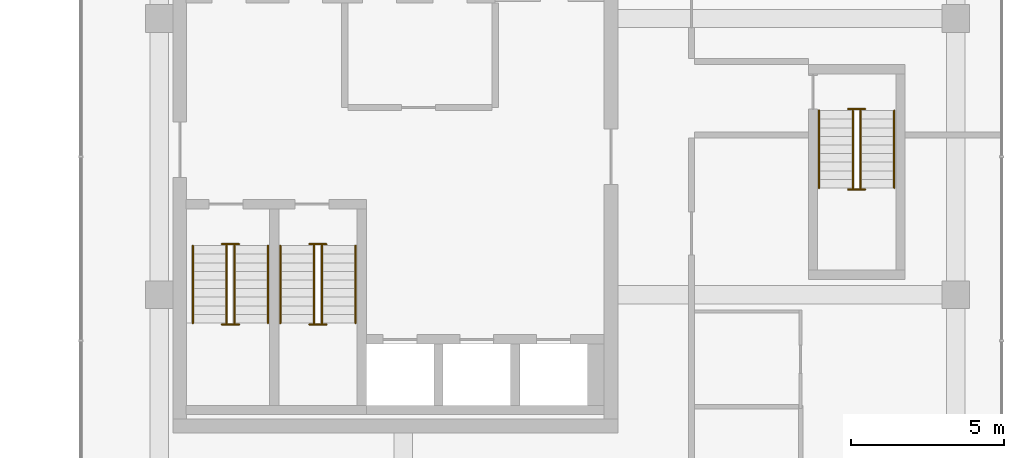
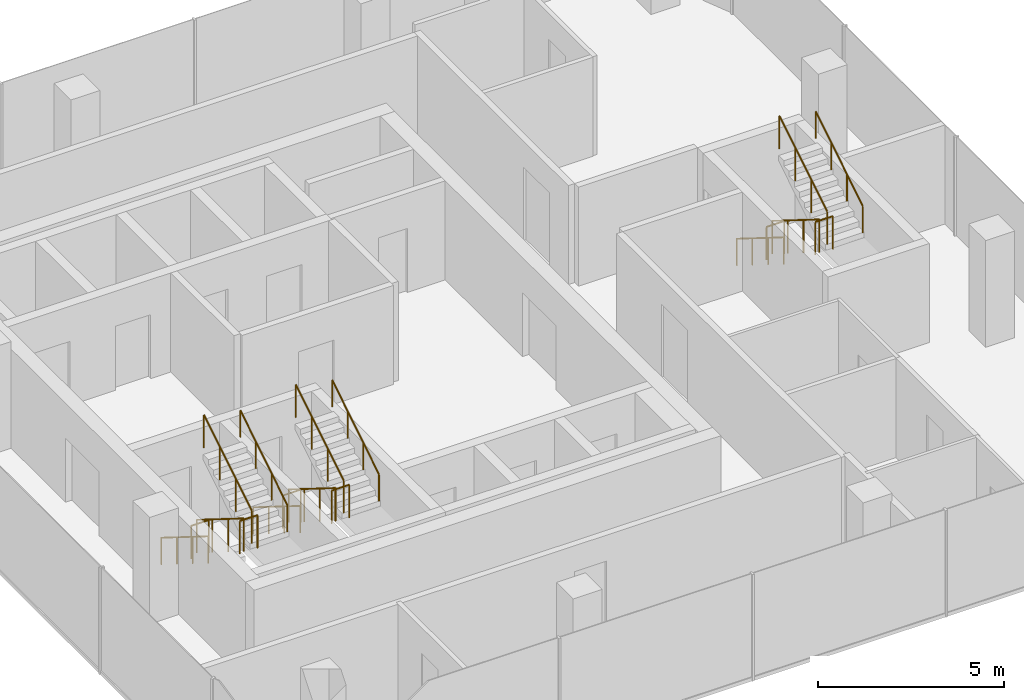
# One storey, part 23 of 23: 18 railings.
"""IFC4 building model written with IfcOpenShell, lengths in metres."""

from ifc_helpers import new_model, si_unit, direction, frame, origin, origin_2d, place, context, subcontext, project, spatial, circle, extrude, material, type_object, element, save


model = new_model("IFC4")

# Units and contexts
model_context = context("Model", 3, precision=1e-05, world=origin(), true_north=direction((0.0, 1.0)))
body_context = subcontext(model_context, "Body", "Model", "MODEL_VIEW")
ifc_project = project(units=[si_unit("LENGTHUNIT", "METRE"), si_unit("AREAUNIT", "SQUARE_METRE"), si_unit("VOLUMEUNIT", "CUBIC_METRE"), si_unit("PLANEANGLEUNIT", "RADIAN"), si_unit("MASSUNIT", "GRAM", prefix="KILO")], contexts=[model_context])

# Site, building, storey
site_placement = place(None, origin())
site = spatial("IfcSite", under=ifc_project, at=site_placement, CompositionType="ELEMENT")
building_placement = place(site_placement, origin())
building = spatial("IfcBuilding", under=site, at=building_placement, Name="Plateau Cross Towers", CompositionType="ELEMENT")
storey_placement = place(building_placement, frame((0.0, 0.0, 85.300048828125)))
storey = spatial("IfcBuildingStorey", under=building, at=storey_placement, Name="L21", CompositionType="ELEMENT", Elevation=85.300048828125)

# Railings
ifc_material_1 = material(Name="Stainless steel and toughened glass", Category="steel")
railing_type_1 = type_object("IfcRailingType", Name="RL-GUARD-1100", PredefinedType="GUARDRAIL", material=ifc_material_1)
railing_1_placement = place(storey_placement, frame((76.75, 6.10009765625, 0.175048828125)))
element("IfcRailing", 1, at=railing_1_placement, inside=storey, type_object=railing_type_1, Name="L21 SB-1 stair guard 1", PredefinedType="GUARDRAIL", context=body_context, shape_type="SweptSolid", body=[
    extrude(circle(Radius=0.02392578125, at=origin_2d()), frame((0.0, 0.0, 1.076171875), z_axis=(0.0, -0.848007534815, 0.529984170421), x_axis=(1.0, 0.0, 0.0)), (0.0, 0.0, 1.0), 2.9716796875),
    extrude(circle(Radius=0.02099609375, at=origin_2d()), origin(), (0.0, 0.0, 1.0), 1.052001953125),
    extrude(circle(Radius=0.02099609375, at=origin_2d()), frame((0.0, -0.840087890625, 0.52490234375)), (0.0, 0.0, 1.0), 1.052001953125),
    extrude(circle(Radius=0.02099609375, at=origin_2d()), frame((0.0, -1.679931640625, 1.050048828125)), (0.0, 0.0, 1.0), 1.052001953125),
    extrude(circle(Radius=0.02099609375, at=origin_2d()), frame((0.0, -2.52001953125, 1.574951171875)), (0.0, 0.0, 1.0), 1.052001953125),
])
railing_2_placement = place(storey_placement, frame((76.60009765625, 3.530029296875, 1.75)))
element("IfcRailing", 2, at=railing_2_placement, inside=storey, type_object=railing_type_1, Name="L21 SB-1 stair guard 2", PredefinedType="GUARDRAIL", context=body_context, shape_type="SweptSolid", body=[
    extrude(circle(Radius=0.02392578125, at=origin_2d()), frame((0.0, 0.0, 1.076171875), z_axis=(1.0, 0.0, 0.0), x_axis=(0.0, 1.0, 0.0)), (0.0, 0.0, 1.0), 0.5498046875),
    extrude(circle(Radius=0.02099609375, at=origin_2d()), origin(), (0.0, 0.0, 1.0), 1.052001953125),
    extrude(circle(Radius=0.02099609375, at=origin_2d()), frame((0.5498046875, 0.0, 0.0)), (0.0, 0.0, 1.0), 1.052001953125),
])
railing_3_placement = place(storey_placement, frame((77.0, 3.580078125, 1.925048828125)))
element("IfcRailing", 3, at=railing_3_placement, inside=storey, type_object=railing_type_1, Name="L21 SB-1 stair guard 3", PredefinedType="GUARDRAIL", context=body_context, shape_type="SweptSolid", body=[
    extrude(circle(Radius=0.02392578125, at=origin_2d()), frame((0.0, 0.0, 1.076171875), z_axis=(0.0, 0.852616386126, 0.522537365276), x_axis=(-1.0, 0.0, 0.0)), (0.0, 0.0, 1.0), 3.01416015625),
    extrude(circle(Radius=0.02099609375, at=origin_2d()), origin(), (0.0, 0.0, 1.0), 1.052001953125),
    extrude(circle(Radius=0.02099609375, at=origin_2d()), frame((0.0, 0.856689453125, 0.52490234375)), (0.0, 0.0, 1.0), 1.052001953125),
    extrude(circle(Radius=0.02099609375, at=origin_2d()), frame((0.0, 1.713134765625, 1.050048828125)), (0.0, 0.0, 1.0), 1.052001953125),
    extrude(circle(Radius=0.02099609375, at=origin_2d()), frame((0.0, 2.56982421875, 1.574951171875)), (0.0, 0.0, 1.0), 1.052001953125),
])
railing_4_placement = place(storey_placement, frame((76.60009765625, 6.14990234375, 0.0)))
element("IfcRailing", 4, at=railing_4_placement, inside=storey, type_object=railing_type_1, Name="L21 SB-1 stair guard 4", PredefinedType="GUARDRAIL", context=body_context, shape_type="SweptSolid", body=[
    extrude(circle(Radius=0.02392578125, at=origin_2d()), frame((0.0, 0.0, 1.076171875), z_axis=(1.0, 0.0, 0.0), x_axis=(0.0, 1.0, 0.0)), (0.0, 0.0, 1.0), 0.5498046875),
    extrude(circle(Radius=0.02099609375, at=origin_2d()), origin(), (0.0, 0.0, 1.0), 1.052001953125),
    extrude(circle(Radius=0.02099609375, at=origin_2d()), frame((0.5498046875, 0.0, 0.0)), (0.0, 0.0, 1.0), 1.052001953125),
])
railing_5_placement = place(storey_placement, frame((79.60009765625, 6.10009765625, 0.175048828125)))
element("IfcRailing", 5, at=railing_5_placement, inside=storey, type_object=railing_type_1, Name="L21 SB-2 stair guard 1", PredefinedType="GUARDRAIL", context=body_context, shape_type="SweptSolid", body=[
    extrude(circle(Radius=0.02392578125, at=origin_2d()), frame((0.0, 0.0, 1.076171875), z_axis=(0.0, -0.848007534815, 0.529984170421), x_axis=(1.0, 0.0, 0.0)), (0.0, 0.0, 1.0), 2.9716796875),
    extrude(circle(Radius=0.02099609375, at=origin_2d()), origin(), (0.0, 0.0, 1.0), 1.052001953125),
    extrude(circle(Radius=0.02099609375, at=origin_2d()), frame((0.0, -0.840087890625, 0.52490234375)), (0.0, 0.0, 1.0), 1.052001953125),
    extrude(circle(Radius=0.02099609375, at=origin_2d()), frame((0.0, -1.679931640625, 1.050048828125)), (0.0, 0.0, 1.0), 1.052001953125),
    extrude(circle(Radius=0.02099609375, at=origin_2d()), frame((0.0, -2.52001953125, 1.574951171875)), (0.0, 0.0, 1.0), 1.052001953125),
])
railing_6_placement = place(storey_placement, frame((79.449951171875, 3.530029296875, 1.75)))
element("IfcRailing", 6, at=railing_6_placement, inside=storey, type_object=railing_type_1, Name="L21 SB-2 stair guard 2", PredefinedType="GUARDRAIL", context=body_context, shape_type="SweptSolid", body=[
    extrude(circle(Radius=0.02392578125, at=origin_2d()), frame((0.0, 0.0, 1.076171875), z_axis=(1.0, 0.0, 0.0), x_axis=(0.0, 1.0, 0.0)), (0.0, 0.0, 1.0), 0.550048828125),
    extrude(circle(Radius=0.02099609375, at=origin_2d()), origin(), (0.0, 0.0, 1.0), 1.052001953125),
    extrude(circle(Radius=0.02099609375, at=origin_2d()), frame((0.550048828125, 0.0, 0.0)), (0.0, 0.0, 1.0), 1.052001953125),
])
railing_7_placement = place(storey_placement, frame((79.85009765625, 3.580078125, 1.925048828125)))
element("IfcRailing", 7, at=railing_7_placement, inside=storey, type_object=railing_type_1, Name="L21 SB-2 stair guard 3", PredefinedType="GUARDRAIL", context=body_context, shape_type="SweptSolid", body=[
    extrude(circle(Radius=0.02392578125, at=origin_2d()), frame((0.0, 0.0, 1.076171875), z_axis=(0.0, 0.852616386126, 0.522537365276), x_axis=(-1.0, 0.0, 0.0)), (0.0, 0.0, 1.0), 3.01416015625),
    extrude(circle(Radius=0.02099609375, at=origin_2d()), origin(), (0.0, 0.0, 1.0), 1.052001953125),
    extrude(circle(Radius=0.02099609375, at=origin_2d()), frame((0.0, 0.856689453125, 0.52490234375)), (0.0, 0.0, 1.0), 1.052001953125),
    extrude(circle(Radius=0.02099609375, at=origin_2d()), frame((0.0, 1.713134765625, 1.050048828125)), (0.0, 0.0, 1.0), 1.052001953125),
    extrude(circle(Radius=0.02099609375, at=origin_2d()), frame((0.0, 2.56982421875, 1.574951171875)), (0.0, 0.0, 1.0), 1.052001953125),
])
railing_8_placement = place(storey_placement, frame((79.449951171875, 6.14990234375, 0.0)))
element("IfcRailing", 8, at=railing_8_placement, inside=storey, type_object=railing_type_1, Name="L21 SB-2 stair guard 4", PredefinedType="GUARDRAIL", context=body_context, shape_type="SweptSolid", body=[
    extrude(circle(Radius=0.02392578125, at=origin_2d()), frame((0.0, 0.0, 1.076171875), z_axis=(1.0, 0.0, 0.0), x_axis=(0.0, 1.0, 0.0)), (0.0, 0.0, 1.0), 0.550048828125),
    extrude(circle(Radius=0.02099609375, at=origin_2d()), origin(), (0.0, 0.0, 1.0), 1.052001953125),
    extrude(circle(Radius=0.02099609375, at=origin_2d()), frame((0.550048828125, 0.0, 0.0)), (0.0, 0.0, 1.0), 1.052001953125),
])
railing_9_placement = place(storey_placement, frame((97.14990234375, 10.5, 0.175048828125)))
element("IfcRailing", 9, at=railing_9_placement, inside=storey, type_object=railing_type_1, Name="L21 SB-3 stair guard 1", PredefinedType="GUARDRAIL", context=body_context, shape_type="SweptSolid", body=[
    extrude(circle(Radius=0.02392578125, at=origin_2d()), frame((0.0, 0.0, 1.076171875), z_axis=(0.0, -0.848007534815, 0.529984170421), x_axis=(1.0, 0.0, 0.0)), (0.0, 0.0, 1.0), 2.9716796875),
    extrude(circle(Radius=0.02099609375, at=origin_2d()), origin(), (0.0, 0.0, 1.0), 1.052001953125),
    extrude(circle(Radius=0.02099609375, at=origin_2d()), frame((0.0, -0.840087890625, 0.52490234375)), (0.0, 0.0, 1.0), 1.052001953125),
    extrude(circle(Radius=0.02099609375, at=origin_2d()), frame((0.0, -1.679931640625, 1.050048828125)), (0.0, 0.0, 1.0), 1.052001953125),
    extrude(circle(Radius=0.02099609375, at=origin_2d()), frame((0.0, -2.52001953125, 1.574951171875)), (0.0, 0.0, 1.0), 1.052001953125),
])
railing_10_placement = place(storey_placement, frame((97.0, 7.929931640625, 1.75)))
element("IfcRailing", 10, at=railing_10_placement, inside=storey, type_object=railing_type_1, Name="L21 SB-3 stair guard 2", PredefinedType="GUARDRAIL", context=body_context, shape_type="SweptSolid", body=[
    extrude(circle(Radius=0.02392578125, at=origin_2d()), frame((0.0, 0.0, 1.076171875), z_axis=(1.0, 0.0, 0.0), x_axis=(0.0, 1.0, 0.0)), (0.0, 0.0, 1.0), 0.550048828125),
    extrude(circle(Radius=0.02099609375, at=origin_2d()), origin(), (0.0, 0.0, 1.0), 1.052001953125),
    extrude(circle(Radius=0.02099609375, at=origin_2d()), frame((0.550048828125, 0.0, 0.0)), (0.0, 0.0, 1.0), 1.052001953125),
])
railing_11_placement = place(storey_placement, frame((97.39990234375, 7.97998046875, 1.925048828125)))
element("IfcRailing", 11, at=railing_11_placement, inside=storey, type_object=railing_type_1, Name="L21 SB-3 stair guard 3", PredefinedType="GUARDRAIL", context=body_context, shape_type="SweptSolid", body=[
    extrude(circle(Radius=0.02392578125, at=origin_2d()), frame((0.0, 0.0, 1.076171875), z_axis=(0.0, 0.852638500773, 0.522501279423), x_axis=(-1.0, 0.0, 0.0)), (0.0, 0.0, 1.0), 3.01416015625),
    extrude(circle(Radius=0.02099609375, at=origin_2d()), origin(), (0.0, 0.0, 1.0), 1.052001953125),
    extrude(circle(Radius=0.02099609375, at=origin_2d()), frame((0.0, 0.856689453125, 0.52490234375)), (0.0, 0.0, 1.0), 1.052001953125),
    extrude(circle(Radius=0.02099609375, at=origin_2d()), frame((0.0, 1.71337890625, 1.050048828125)), (0.0, 0.0, 1.0), 1.052001953125),
    extrude(circle(Radius=0.02099609375, at=origin_2d()), frame((0.0, 2.570068359375, 1.574951171875)), (0.0, 0.0, 1.0), 1.052001953125),
])
railing_12_placement = place(storey_placement, frame((97.0, 10.550048828125, 0.0)))
element("IfcRailing", 12, at=railing_12_placement, inside=storey, type_object=railing_type_1, Name="L21 SB-3 stair guard 4", PredefinedType="GUARDRAIL", context=body_context, shape_type="SweptSolid", body=[
    extrude(circle(Radius=0.02392578125, at=origin_2d()), frame((0.0, 0.0, 1.076171875), z_axis=(1.0, 0.0, 0.0), x_axis=(0.0, 1.0, 0.0)), (0.0, 0.0, 1.0), 0.550048828125),
    extrude(circle(Radius=0.02099609375, at=origin_2d()), origin(), (0.0, 0.0, 1.0), 1.052001953125),
    extrude(circle(Radius=0.02099609375, at=origin_2d()), frame((0.550048828125, 0.0, 0.0)), (0.0, 0.0, 1.0), 1.052001953125),
])
ifc_material_2 = material(Name="Black anodised aluminium", Category="aluminium")
railing_type_2 = type_object("IfcRailingType", Name="RL-HANDRAIL-900", PredefinedType="HANDRAIL", material=ifc_material_2)
railing_13_placement = place(storey_placement, frame((75.64990234375, 6.10009765625, 0.175048828125)))
element("IfcRailing", 13, at=railing_13_placement, inside=storey, type_object=railing_type_2, Name="L21 SB-1 stair handrail 1", PredefinedType="HANDRAIL", context=body_context, shape_type="SweptSolid", body=[
    extrude(circle(Radius=0.02392578125, at=origin_2d()), frame((0.0, 0.0, 0.8759765625), z_axis=(0.0, -0.848007534815, 0.529984170421), x_axis=(1.0, 0.0, 0.0)), (0.0, 0.0, 1.0), 2.9716796875),
    extrude(circle(Radius=0.02099609375, at=origin_2d()), origin(), (0.0, 0.0, 1.0), 0.851806640625),
    extrude(circle(Radius=0.02099609375, at=origin_2d()), frame((0.0, -0.840087890625, 0.52490234375)), (0.0, 0.0, 1.0), 0.851806640625),
    extrude(circle(Radius=0.02099609375, at=origin_2d()), frame((0.0, -1.679931640625, 1.050048828125)), (0.0, 0.0, 1.0), 0.851806640625),
    extrude(circle(Radius=0.02099609375, at=origin_2d()), frame((0.0, -2.52001953125, 1.574951171875)), (0.0, 0.0, 1.0), 0.851806640625),
])
railing_14_placement = place(storey_placement, frame((78.10009765625, 3.580078125, 1.925048828125)))
element("IfcRailing", 14, at=railing_14_placement, inside=storey, type_object=railing_type_2, Name="L21 SB-1 stair handrail 2", PredefinedType="HANDRAIL", context=body_context, shape_type="SweptSolid", body=[
    extrude(circle(Radius=0.02392578125, at=origin_2d()), frame((0.0, 0.0, 0.8759765625), z_axis=(0.0, 0.848007534815, 0.529984170421), x_axis=(-1.0, 0.0, 0.0)), (0.0, 0.0, 1.0), 2.9716796875),
    extrude(circle(Radius=0.02099609375, at=origin_2d()), origin(), (0.0, 0.0, 1.0), 0.851806640625),
    extrude(circle(Radius=0.02099609375, at=origin_2d()), frame((0.0, 0.840087890625, 0.52490234375)), (0.0, 0.0, 1.0), 0.851806640625),
    extrude(circle(Radius=0.02099609375, at=origin_2d()), frame((0.0, 1.679931640625, 1.050048828125)), (0.0, 0.0, 1.0), 0.851806640625),
    extrude(circle(Radius=0.02099609375, at=origin_2d()), frame((0.0, 2.52001953125, 1.574951171875)), (0.0, 0.0, 1.0), 0.851806640625),
])
railing_15_placement = place(storey_placement, frame((78.5, 6.10009765625, 0.175048828125)))
element("IfcRailing", 15, at=railing_15_placement, inside=storey, type_object=railing_type_2, Name="L21 SB-2 stair handrail 1", PredefinedType="HANDRAIL", context=body_context, shape_type="SweptSolid", body=[
    extrude(circle(Radius=0.02392578125, at=origin_2d()), frame((0.0, 0.0, 0.8759765625), z_axis=(0.0, -0.848007534815, 0.529984170421), x_axis=(1.0, 0.0, 0.0)), (0.0, 0.0, 1.0), 2.9716796875),
    extrude(circle(Radius=0.02099609375, at=origin_2d()), origin(), (0.0, 0.0, 1.0), 0.851806640625),
    extrude(circle(Radius=0.02099609375, at=origin_2d()), frame((0.0, -0.840087890625, 0.52490234375)), (0.0, 0.0, 1.0), 0.851806640625),
    extrude(circle(Radius=0.02099609375, at=origin_2d()), frame((0.0, -1.679931640625, 1.050048828125)), (0.0, 0.0, 1.0), 0.851806640625),
    extrude(circle(Radius=0.02099609375, at=origin_2d()), frame((0.0, -2.52001953125, 1.574951171875)), (0.0, 0.0, 1.0), 0.851806640625),
])
railing_16_placement = place(storey_placement, frame((80.949951171875, 3.580078125, 1.925048828125)))
element("IfcRailing", 16, at=railing_16_placement, inside=storey, type_object=railing_type_2, Name="L21 SB-2 stair handrail 2", PredefinedType="HANDRAIL", context=body_context, shape_type="SweptSolid", body=[
    extrude(circle(Radius=0.02392578125, at=origin_2d()), frame((0.0, 0.0, 0.8759765625), z_axis=(0.0, 0.848007534815, 0.529984170421), x_axis=(-1.0, 0.0, 0.0)), (0.0, 0.0, 1.0), 2.9716796875),
    extrude(circle(Radius=0.02099609375, at=origin_2d()), origin(), (0.0, 0.0, 1.0), 0.851806640625),
    extrude(circle(Radius=0.02099609375, at=origin_2d()), frame((0.0, 0.840087890625, 0.52490234375)), (0.0, 0.0, 1.0), 0.851806640625),
    extrude(circle(Radius=0.02099609375, at=origin_2d()), frame((0.0, 1.679931640625, 1.050048828125)), (0.0, 0.0, 1.0), 0.851806640625),
    extrude(circle(Radius=0.02099609375, at=origin_2d()), frame((0.0, 2.52001953125, 1.574951171875)), (0.0, 0.0, 1.0), 0.851806640625),
])
railing_17_placement = place(storey_placement, frame((96.050048828125, 10.5, 0.175048828125)))
element("IfcRailing", 17, at=railing_17_placement, inside=storey, type_object=railing_type_2, Name="L21 SB-3 stair handrail 1", PredefinedType="HANDRAIL", context=body_context, shape_type="SweptSolid", body=[
    extrude(circle(Radius=0.02392578125, at=origin_2d()), frame((0.0, 0.0, 0.8759765625), z_axis=(0.0, -0.848007534815, 0.529984170421), x_axis=(1.0, 0.0, 0.0)), (0.0, 0.0, 1.0), 2.9716796875),
    extrude(circle(Radius=0.02099609375, at=origin_2d()), origin(), (0.0, 0.0, 1.0), 0.851806640625),
    extrude(circle(Radius=0.02099609375, at=origin_2d()), frame((0.0, -0.840087890625, 0.52490234375)), (0.0, 0.0, 1.0), 0.851806640625),
    extrude(circle(Radius=0.02099609375, at=origin_2d()), frame((0.0, -1.679931640625, 1.050048828125)), (0.0, 0.0, 1.0), 0.851806640625),
    extrude(circle(Radius=0.02099609375, at=origin_2d()), frame((0.0, -2.52001953125, 1.574951171875)), (0.0, 0.0, 1.0), 0.851806640625),
])
railing_18_placement = place(storey_placement, frame((98.5, 7.97998046875, 1.925048828125)))
element("IfcRailing", 18, at=railing_18_placement, inside=storey, type_object=railing_type_2, Name="L21 SB-3 stair handrail 2", PredefinedType="HANDRAIL", context=body_context, shape_type="SweptSolid", body=[
    extrude(circle(Radius=0.02392578125, at=origin_2d()), frame((0.0, 0.0, 0.8759765625), z_axis=(0.0, 0.848007534815, 0.529984170421), x_axis=(-1.0, 0.0, 0.0)), (0.0, 0.0, 1.0), 2.9716796875),
    extrude(circle(Radius=0.02099609375, at=origin_2d()), origin(), (0.0, 0.0, 1.0), 0.851806640625),
    extrude(circle(Radius=0.02099609375, at=origin_2d()), frame((0.0, 0.840087890625, 0.52490234375)), (0.0, 0.0, 1.0), 0.851806640625),
    extrude(circle(Radius=0.02099609375, at=origin_2d()), frame((0.0, 1.679931640625, 1.050048828125)), (0.0, 0.0, 1.0), 0.851806640625),
    extrude(circle(Radius=0.02099609375, at=origin_2d()), frame((0.0, 2.52001953125, 1.574951171875)), (0.0, 0.0, 1.0), 0.851806640625),
])

save(model, "model.ifc")
